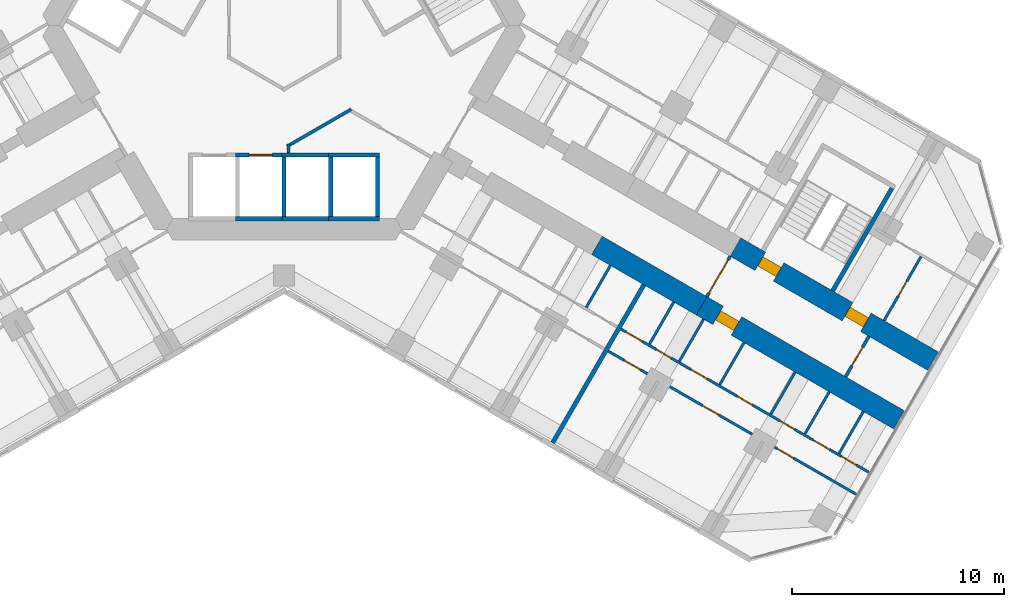
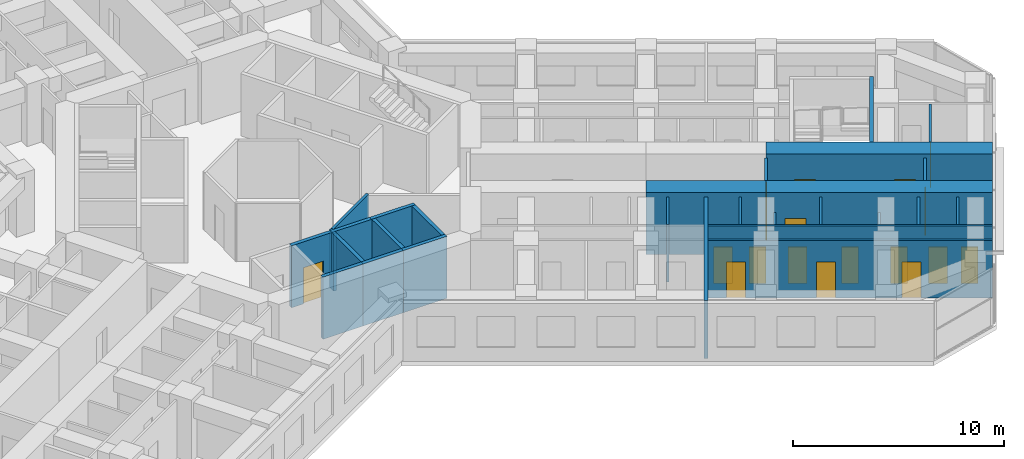
# One storey, part 14 of 21: 28 walls, 17 doors, 17 openings.
"""IFC4 building model written with IfcOpenShell, lengths in metres."""

from ifc_helpers import new_model, si_unit, direction, frame, frame_2d, origin, place, context, subcontext, project, spatial, rectangle, extrude, material, layer, layer_set, type_object, element, fill, save


model = new_model("IFC4")

# Units and contexts
model_context = context("Model", 3, precision=1e-05, world=origin(), true_north=direction((0.0, 1.0)))
body_context = subcontext(model_context, "Body", "Model", "MODEL_VIEW")
ifc_project = project(units=[si_unit("LENGTHUNIT", "METRE"), si_unit("AREAUNIT", "SQUARE_METRE"), si_unit("VOLUMEUNIT", "CUBIC_METRE"), si_unit("PLANEANGLEUNIT", "RADIAN"), si_unit("MASSUNIT", "GRAM", prefix="KILO")], contexts=[model_context])

# Site, building, storey
site_placement = place(None, origin())
site = spatial("IfcSite", under=ifc_project, at=site_placement, CompositionType="ELEMENT")
building_placement = place(site_placement, origin())
building = spatial("IfcBuilding", under=site, at=building_placement, Name="Kosmar Iwan School Tower", CompositionType="ELEMENT")
storey_placement = place(building_placement, frame((0.0, 0.0, 50.199951171875)))
storey = spatial("IfcBuildingStorey", under=building, at=storey_placement, Name="L11", CompositionType="ELEMENT", Elevation=50.199951171875)

# Walls
ifc_material_1 = material(Name="Gypsum board on steel studs, fire-rated", Category="steel")
ifc_layer_1 = layer(ifc_material_1, 0.14990234375)
ifc_layer_set_1 = layer_set([ifc_layer_1], Name="Core room partition 150")
wall_type_1 = type_object("IfcWallType", Name="Core room partition 150", PredefinedType="PARTITIONING", material=ifc_layer_set_1)
wall_1_placement = place(storey_placement, frame((0.199951171875, -6.0048828125, 0.0), z_axis=(0.0, 0.0, 1.0), x_axis=(0.0, 1.0, 0.0)))
element("IfcWall", 1, at=wall_1_placement, inside=storey, type_object=wall_type_1, Name="Core room partition L11-CW10", PredefinedType="PARTITIONING", context=body_context, shape_type="SweptSolid", body=[
    extrude(rectangle(XDim=0.421875, YDim=0.14990234375, at=frame_2d((0.2109375, 0.0))), origin(), (0.0, 0.0, 1.0), 3.35009765625),
])
wall_2_placement = place(storey_placement, frame((0.135009765625, -5.695556640625, 0.0), z_axis=(0.0, 0.0, 1.0), x_axis=(0.866040335699, 0.499974136273, 0.0)))
element("IfcWall", 2, at=wall_2_placement, inside=storey, type_object=wall_type_1, Name="Core room partition L11-CW11", PredefinedType="PARTITIONING", context=body_context, shape_type="SweptSolid", body=[
    extrude(rectangle(XDim=3.498779296875, YDim=0.14990234375, at=frame_2d((1.74951171875, 0.0))), origin(), (0.0, 0.0, 1.0), 3.35009765625),
])

# Wall, openings, doors
ifc_material_2 = material(Name="Concrete C50/60", Category="concrete")
ifc_layer_2 = layer(ifc_material_2, 1.0)
ifc_layer_set_2 = layer_set([ifc_layer_2], Name="Corridor buttress wall 1000")
wall_type_2 = type_object("IfcWallType", Name="Corridor buttress wall 1000", PredefinedType="SHEAR", material=ifc_layer_set_2)
wall_3_placement = place(storey_placement, frame((21.281494140625, -10.439453125, 0.0), z_axis=(0.0, 0.0, 1.0), x_axis=(0.866032345022, -0.499987977232, 0.0)))
wall_3 = element("IfcWall", 3, at=wall_3_placement, inside=storey, type_object=wall_type_2, Name="Corridor wall CL bay 3", PredefinedType="SHEAR", context=body_context, shape_type="SweptSolid", body=[
    extrude(rectangle(XDim=10.744873046875, YDim=1.0, at=frame_2d((5.37255859375, 0.0))), origin(), (0.0, 0.0, 1.0), 3.60009765625),
])
opening_1_placement = place(wall_3_placement, frame((6.10009765625, 0.0, 0.0)))
opening_1 = element("IfcOpeningElement", 4, at=opening_1_placement, cuts=wall_3, Name="Opening D1", PredefinedType="OPENING", context=body_context, shape_type="SweptSolid", body=[
    extrude(rectangle(XDim=1.0, YDim=2.10009765625, at=frame_2d((0.5, 1.050048828125))), frame((0.0, 0.511962890625, 0.0), z_axis=(0.0, -1.0, 0.0), x_axis=(1.0, 0.0, 0.0)), (0.0, 0.0, 1.0), 1.02392578125),
])
opening_2_placement = place(wall_3_placement, frame((1.35009765625, 0.0, 0.0)))
opening_2 = element("IfcOpeningElement", 5, at=opening_2_placement, cuts=wall_3, Name="Opening D6", PredefinedType="OPENING", context=body_context, shape_type="SweptSolid", body=[
    extrude(rectangle(XDim=1.0, YDim=2.10009765625, at=frame_2d((0.5, 1.050048828125))), frame((0.0, 0.511962890625, 0.0), z_axis=(0.0, -1.0, 0.0), x_axis=(1.0, 0.0, 0.0)), (0.0, 0.0, 1.0), 1.02392578125),
])
ifc_material_3 = material(Name="Timber fire door in steel frame", Category="steel")
door_type_1 = type_object("IfcDoorType", Name="Flat entrance door 1000x2100", OperationType="SINGLE_SWING_LEFT", PredefinedType="DOOR", material=ifc_material_3)
door_1_placement = place(opening_1_placement, origin())
door_1 = element("IfcDoor", 6, at=door_1_placement, inside=storey, type_object=door_type_1, Name="Flat L11-CL2 entrance door", OperationType="SINGLE_SWING_RIGHT", OverallHeight=2.10009765625, OverallWidth=1.0, PredefinedType="DOOR", context=body_context, shape_type="SweptSolid", body=[
    extrude(rectangle(XDim=1.0, YDim=2.10009765625, at=frame_2d((0.5, 1.050048828125))), frame((0.0, 0.25, 0.0), z_axis=(0.0, -1.0, 0.0), x_axis=(1.0, 0.0, 0.0)), (0.0, 0.0, 1.0), 0.5),
])
fill(opening_1, door_1)
ifc_material_4 = material(Name="Steel fire door", Category="steel")
door_type_2 = type_object("IfcDoorType", Name="Stair door 1000x2100", OperationType="SINGLE_SWING_LEFT", PredefinedType="DOOR", material=ifc_material_4)
door_2_placement = place(opening_2_placement, origin())
door_2 = element("IfcDoor", 7, at=door_2_placement, inside=storey, type_object=door_type_2, Name="Stair WS3 door L11", OperationType="SINGLE_SWING_LEFT", OverallHeight=2.10009765625, OverallWidth=1.0, PredefinedType="DOOR", context=body_context, shape_type="SweptSolid", body=[
    extrude(rectangle(XDim=1.0, YDim=2.10009765625, at=frame_2d((0.5, 1.050048828125))), frame((0.0, 0.25, 0.0), z_axis=(0.0, -1.0, 0.0), x_axis=(1.0, 0.0, 0.0)), (0.0, 0.0, 1.0), 0.5),
])
fill(opening_2, door_2)

# Wall
wall_4_placement = place(storey_placement, frame((14.7451171875, -10.360595703125, 0.0), z_axis=(0.0, 0.0, 1.0), x_axis=(0.866015111908, -0.50001782563, 0.0)))
element("IfcWall", 8, at=wall_4_placement, inside=storey, type_object=wall_type_2, Name="Corridor wall CR bay 2", PredefinedType="SHEAR", context=body_context, shape_type="SweptSolid", body=[
    extrude(rectangle(XDim=5.699951171875, YDim=1.0, at=frame_2d((2.85009765625, 0.0))), origin(), (0.0, 0.0, 1.0), 3.60009765625),
])

# Wall, opening, door
wall_5_placement = place(storey_placement, frame((19.681396484375, -13.210693359375, 0.0), z_axis=(0.0, 0.0, 1.0), x_axis=(0.866028186671, -0.499995179869, 0.0)))
wall_5 = element("IfcWall", 9, at=wall_5_placement, inside=storey, type_object=wall_type_2, Name="Corridor wall CR bay 3", PredefinedType="SHEAR", context=body_context, shape_type="SweptSolid", body=[
    extrude(rectangle(XDim=10.7451171875, YDim=1.0, at=frame_2d((5.37255859375, 0.0))), origin(), (0.0, 0.0, 1.0), 3.60009765625),
])
opening_3_placement = place(wall_5_placement, frame((0.89990234375, 0.0, 0.0)))
opening_3 = element("IfcOpeningElement", 10, at=opening_3_placement, cuts=wall_5, Name="Opening D1", PredefinedType="OPENING", context=body_context, shape_type="SweptSolid", body=[
    extrude(rectangle(XDim=1.0, YDim=2.10009765625, at=frame_2d((0.5, 1.050048828125))), frame((0.0, 0.511962890625, 0.0), z_axis=(0.0, -1.0, 0.0), x_axis=(1.0, 0.0, 0.0)), (0.0, 0.0, 1.0), 1.02392578125),
])
door_3_placement = place(opening_3_placement, origin())
door_3 = element("IfcDoor", 11, at=door_3_placement, inside=storey, type_object=door_type_1, Name="Flat L11-CR2 entrance door", OperationType="SINGLE_SWING_LEFT", OverallHeight=2.10009765625, OverallWidth=1.0, PredefinedType="DOOR", context=body_context, shape_type="SweptSolid", body=[
    extrude(rectangle(XDim=1.0, YDim=2.10009765625, at=frame_2d((0.5, 1.050048828125))), frame((0.0, 0.25, 0.0), z_axis=(0.0, -1.0, 0.0), x_axis=(1.0, 0.0, 0.0)), (0.0, 0.0, 1.0), 0.5),
])
fill(opening_3, door_3)

ifc_material_5 = material(Name="Gypsum board on steel studs, fire-rated", Category="steel")
ifc_layer_3 = layer(ifc_material_5, 0.14990234375)
ifc_layer_set_3 = layer_set([ifc_layer_3], Name="Corridor end wall 150")
wall_type_3 = type_object("IfcWallType", Name="Corridor end wall 150", PredefinedType="PARTITIONING", material=ifc_layer_set_3)
wall_6_placement = place(storey_placement, frame((26.469970703125, -16.552734375, 0.0), z_axis=(0.0, 0.0, 1.0), x_axis=(0.50002983664, 0.866008176907, 0.0)))
wall_6 = element("IfcWall", 12, at=wall_6_placement, inside=storey, type_object=wall_type_3, Name="Partition L11-C-CE", PredefinedType="PARTITIONING", context=body_context, shape_type="SweptSolid", body=[
    extrude(rectangle(XDim=2.199951171875, YDim=0.14990234375, at=frame_2d((1.10009765625, 0.0))), origin(), (0.0, 0.0, 1.0), 3.35009765625),
])
opening_4_placement = place(wall_6_placement, frame((0.60009765625, 0.0, 0.0)))
opening_4 = element("IfcOpeningElement", 13, at=opening_4_placement, cuts=wall_6, Name="Opening D13", PredefinedType="OPENING", context=body_context, shape_type="SweptSolid", body=[
    extrude(rectangle(XDim=1.0, YDim=2.10009765625, at=frame_2d((0.5, 1.050048828125))), frame((0.0, 0.0869140625, 0.0), z_axis=(0.0, -1.0, 0.0), x_axis=(1.0, 0.0, 0.0)), (0.0, 0.0, 1.0), 0.173828125),
])
ifc_material_6 = material(Name="Timber fire door with vision panel", Category="wood")
door_type_3 = type_object("IfcDoorType", Name="Corridor end door 1000x2100", OperationType="SINGLE_SWING_LEFT", PredefinedType="DOOR", material=ifc_material_6)
door_4_placement = place(opening_4_placement, origin())
door_4 = element("IfcDoor", 14, at=door_4_placement, inside=storey, type_object=door_type_3, Name="Laundry and drying room door L11-C", OperationType="SINGLE_SWING_RIGHT", OverallHeight=2.10009765625, OverallWidth=1.0, PredefinedType="DOOR", context=body_context, shape_type="SweptSolid", body=[
    extrude(rectangle(XDim=1.0, YDim=2.10009765625, at=frame_2d((0.5, 1.050048828125))), frame((0.0, 0.02490234375, 0.0), z_axis=(0.0, -1.0, 0.0), x_axis=(1.0, 0.0, 0.0)), (0.0, 0.0, 1.0), 0.050048828125),
])
fill(opening_4, door_4)

wall_7_placement = place(storey_placement, frame((19.931396484375, -12.777587890625, 0.0), z_axis=(0.0, 0.0, 1.0), x_axis=(0.50002983664, 0.866008176907, 0.0)))
wall_7 = element("IfcWall", 15, at=wall_7_placement, inside=storey, type_object=wall_type_3, Name="Partition L11-C-HW", PredefinedType="PARTITIONING", context=body_context, shape_type="SweptSolid", body=[
    extrude(rectangle(XDim=2.199951171875, YDim=0.14990234375, at=frame_2d((1.10009765625, 0.0))), origin(), (0.0, 0.0, 1.0), 3.35009765625),
])
opening_5_placement = place(wall_7_placement, frame((0.199951171875, 0.0, 0.0)))
opening_5 = element("IfcOpeningElement", 16, at=opening_5_placement, cuts=wall_7, Name="Opening D9", PredefinedType="OPENING", context=body_context, shape_type="SweptSolid", body=[
    extrude(rectangle(XDim=1.800048828125, YDim=2.10009765625, at=frame_2d((0.89990234375, 1.050048828125))), frame((0.0, 0.0869140625, 0.0), z_axis=(0.0, -1.0, 0.0), x_axis=(1.0, 0.0, 0.0)), (0.0, 0.0, 1.0), 0.173828125),
])
ifc_material_7 = material(Name="Steel framed glazed smoke door", Category="steel")
door_type_4 = type_object("IfcDoorType", Name="Corridor smoke door pair 1800x2100", OperationType="DOUBLE_DOOR_DOUBLE_SWING", PredefinedType="DOOR", material=ifc_material_7)
door_5_placement = place(opening_5_placement, origin())
door_5 = element("IfcDoor", 17, at=door_5_placement, inside=storey, type_object=door_type_4, Name="Entrance vestibule smoke doors L11-C", OperationType="DOUBLE_DOOR_DOUBLE_SWING", OverallHeight=2.10009765625, OverallWidth=1.800048828125, PredefinedType="DOOR", context=body_context, shape_type="SweptSolid", body=[
    extrude(rectangle(XDim=1.800048828125, YDim=2.10009765625, at=frame_2d((0.89990234375, 1.050048828125))), frame((0.0, 0.02490234375, 0.0), z_axis=(0.0, -1.0, 0.0), x_axis=(1.0, 0.0, 0.0)), (0.0, 0.0, 1.0), 0.050048828125),
])
fill(opening_5, door_5)

ifc_material_8 = material(Name="Gypsum board on steel studs", Category="steel")
ifc_layer_4 = layer(ifc_material_8, 0.1201171875)
ifc_layer_set_4 = layer_set([ifc_layer_4], Name="Dwelling partition 120")
wall_type_4 = type_object("IfcWallType", Name="Dwelling partition 120", PredefinedType="PARTITIONING", material=ifc_layer_set_4)
wall_8_placement = place(storey_placement, frame((28.286376953125, -13.90625, 0.0), z_axis=(0.0, 0.0, 1.0), x_axis=(0.50002117804, 0.866013176292, 0.0)))
wall_8 = element("IfcWall", 18, at=wall_8_placement, inside=storey, type_object=wall_type_4, Name="Partition L11-CL2-TY", PredefinedType="PARTITIONING", context=body_context, shape_type="SweptSolid", body=[
    extrude(rectangle(XDim=3.489990234375, YDim=0.1201171875, at=frame_2d((1.7451171875, 0.0))), origin(), (0.0, 0.0, 1.0), 3.35009765625),
])
opening_6_placement = place(wall_8_placement, frame((1.344970703125, 0.0, 0.0)))
opening_6 = element("IfcOpeningElement", 19, at=opening_6_placement, cuts=wall_8, Name="Opening D3", PredefinedType="OPENING", context=body_context, shape_type="SweptSolid", body=[
    extrude(rectangle(XDim=0.800048828125, YDim=2.10009765625, at=frame_2d((0.39990234375, 1.050048828125))), frame((0.0, 0.072021484375, 0.0), z_axis=(0.0, -1.0, 0.0), x_axis=(1.0, 0.0, 0.0)), (0.0, 0.0, 1.0), 0.14404296875),
])
ifc_material_9 = material(Name="Timber door in timber frame", Category="wood")
door_type_5 = type_object("IfcDoorType", Name="Sanitary room door 800x2100", OperationType="SINGLE_SWING_LEFT", PredefinedType="DOOR", material=ifc_material_9)
door_6_placement = place(opening_6_placement, origin())
door_6 = element("IfcDoor", 20, at=door_6_placement, inside=storey, type_object=door_type_5, Name="Bathroom door L11-CL2-T4", OperationType="SINGLE_SWING_LEFT", OverallHeight=2.10009765625, OverallWidth=0.800048828125, PredefinedType="DOOR", context=body_context, shape_type="SweptSolid", body=[
    extrude(rectangle(XDim=0.800048828125, YDim=2.10009765625, at=frame_2d((0.39990234375, 1.050048828125))), frame((0.0, 0.02490234375, 0.0), z_axis=(0.0, -1.0, 0.0), x_axis=(1.0, 0.0, 0.0)), (0.0, 0.0, 1.0), 0.050048828125),
])
fill(opening_6, door_6)

# Wall
wall_9_placement = place(storey_placement, frame((15.38525390625, -11.3076171875, 0.0), z_axis=(0.0, 0.0, 1.0), x_axis=(-0.500014693593, -0.866016920268, 0.0)))
element("IfcWall", 21, at=wall_9_placement, inside=storey, type_object=wall_type_4, Name="Partition L11-CR1-Y4", PredefinedType="PARTITIONING", context=body_context, shape_type="SweptSolid", body=[
    extrude(rectangle(XDim=2.2900390625, YDim=0.1201171875, at=frame_2d((1.14501953125, 0.0))), origin(), (0.0, 0.0, 1.0), 3.35009765625),
])

# Wall, openings, doors
wall_10_placement = place(storey_placement, frame((15.875, -14.3037109375, 0.0), z_axis=(0.0, 0.0, 1.0), x_axis=(0.866023503214, -0.50000329187, 0.0)))
wall_10 = element("IfcWall", 22, at=wall_10_placement, inside=storey, type_object=wall_type_4, Name="Partition L11-CR2-W1", PredefinedType="PARTITIONING", context=body_context, shape_type="SweptSolid", body=[
    extrude(rectangle(XDim=13.4951171875, YDim=0.1201171875, at=frame_2d((6.74755859375, 0.0))), origin(), (0.0, 0.0, 1.0), 3.35009765625),
])
opening_7_placement = place(wall_10_placement, frame((0.262451171875, 0.0, 0.0)))
opening_7 = element("IfcOpeningElement", 23, at=opening_7_placement, cuts=wall_10, Name="Opening D2", PredefinedType="OPENING", context=body_context, shape_type="SweptSolid", body=[
    extrude(rectangle(XDim=0.89990234375, YDim=2.10009765625, at=frame_2d((0.449951171875, 1.050048828125))), frame((0.0, 0.072021484375, 0.0), z_axis=(0.0, -1.0, 0.0), x_axis=(1.0, 0.0, 0.0)), (0.0, 0.0, 1.0), 0.14404296875),
])
opening_8_placement = place(wall_10_placement, frame((1.9375, 0.0, 0.0)))
opening_8 = element("IfcOpeningElement", 24, at=opening_8_placement, cuts=wall_10, Name="Opening D3", PredefinedType="OPENING", context=body_context, shape_type="SweptSolid", body=[
    extrude(rectangle(XDim=0.800048828125, YDim=2.10009765625, at=frame_2d((0.39990234375, 1.050048828125))), frame((0.0, 0.072021484375, 0.0), z_axis=(0.0, -1.0, 0.0), x_axis=(1.0, 0.0, 0.0)), (0.0, 0.0, 1.0), 0.14404296875),
])
opening_9_placement = place(wall_10_placement, frame((3.800048828125, 0.0, 0.0)))
opening_9 = element("IfcOpeningElement", 25, at=opening_9_placement, cuts=wall_10, Name="Opening D2", PredefinedType="OPENING", context=body_context, shape_type="SweptSolid", body=[
    extrude(rectangle(XDim=0.89990234375, YDim=2.10009765625, at=frame_2d((0.449951171875, 1.050048828125))), frame((0.0, 0.072021484375, 0.0), z_axis=(0.0, -1.0, 0.0), x_axis=(1.0, 0.0, 0.0)), (0.0, 0.0, 1.0), 0.14404296875),
])
opening_10_placement = place(wall_10_placement, frame((6.341796875, 0.0, 0.0)))
opening_10 = element("IfcOpeningElement", 26, at=opening_10_placement, cuts=wall_10, Name="Opening D3", PredefinedType="OPENING", context=body_context, shape_type="SweptSolid", body=[
    extrude(rectangle(XDim=0.800048828125, YDim=2.10009765625, at=frame_2d((0.39990234375, 1.050048828125))), frame((0.0, 0.072021484375, 0.0), z_axis=(0.0, -1.0, 0.0), x_axis=(1.0, 0.0, 0.0)), (0.0, 0.0, 1.0), 0.14404296875),
])
opening_11_placement = place(wall_10_placement, frame((8.6611328125, 0.0, 0.0)))
opening_11 = element("IfcOpeningElement", 27, at=opening_11_placement, cuts=wall_10, Name="Opening D3", PredefinedType="OPENING", context=body_context, shape_type="SweptSolid", body=[
    extrude(rectangle(XDim=0.800048828125, YDim=2.10009765625, at=frame_2d((0.39990234375, 1.050048828125))), frame((0.0, 0.072021484375, 0.0), z_axis=(0.0, -1.0, 0.0), x_axis=(1.0, 0.0, 0.0)), (0.0, 0.0, 1.0), 0.14404296875),
])
opening_12_placement = place(wall_10_placement, frame((10.466796875, 0.0, 0.0)))
opening_12 = element("IfcOpeningElement", 28, at=opening_12_placement, cuts=wall_10, Name="Opening D2", PredefinedType="OPENING", context=body_context, shape_type="SweptSolid", body=[
    extrude(rectangle(XDim=0.89990234375, YDim=2.10009765625, at=frame_2d((0.449951171875, 1.050048828125))), frame((0.0, 0.072021484375, 0.0), z_axis=(0.0, -1.0, 0.0), x_axis=(1.0, 0.0, 0.0)), (0.0, 0.0, 1.0), 0.14404296875),
])
opening_13_placement = place(wall_10_placement, frame((12.00439453125, 0.0, 0.0)))
opening_13 = element("IfcOpeningElement", 29, at=opening_13_placement, cuts=wall_10, Name="Opening D3", PredefinedType="OPENING", context=body_context, shape_type="SweptSolid", body=[
    extrude(rectangle(XDim=0.800048828125, YDim=2.10009765625, at=frame_2d((0.39990234375, 1.050048828125))), frame((0.0, 0.072021484375, 0.0), z_axis=(0.0, -1.0, 0.0), x_axis=(1.0, 0.0, 0.0)), (0.0, 0.0, 1.0), 0.14404296875),
])
ifc_material_10 = material(Name="Timber door in timber frame", Category="wood")
door_type_6 = type_object("IfcDoorType", Name="Internal door 900x2100", OperationType="SINGLE_SWING_LEFT", PredefinedType="DOOR", material=ifc_material_10)
door_7_placement = place(opening_7_placement, origin())
door_7 = element("IfcDoor", 30, at=door_7_placement, inside=storey, type_object=door_type_6, Name="Utility room door L11-CR2-S1", OperationType="SINGLE_SWING_RIGHT", OverallHeight=2.10009765625, OverallWidth=0.89990234375, PredefinedType="DOOR", context=body_context, shape_type="SweptSolid", body=[
    extrude(rectangle(XDim=0.89990234375, YDim=2.10009765625, at=frame_2d((0.449951171875, 1.050048828125))), frame((0.0, 0.02490234375, 0.0), z_axis=(0.0, -1.0, 0.0), x_axis=(1.0, 0.0, 0.0)), (0.0, 0.0, 1.0), 0.050048828125),
])
fill(opening_7, door_7)
door_8_placement = place(opening_9_placement, origin())
door_8 = element("IfcDoor", 31, at=door_8_placement, inside=storey, type_object=door_type_6, Name="Entrance hall door L11-CR2-S3", OperationType="SINGLE_SWING_RIGHT", OverallHeight=2.10009765625, OverallWidth=0.89990234375, PredefinedType="DOOR", context=body_context, shape_type="SweptSolid", body=[
    extrude(rectangle(XDim=0.89990234375, YDim=2.10009765625, at=frame_2d((0.449951171875, 1.050048828125))), frame((0.0, 0.02490234375, 0.0), z_axis=(0.0, -1.0, 0.0), x_axis=(1.0, 0.0, 0.0)), (0.0, 0.0, 1.0), 0.050048828125),
])
fill(opening_9, door_8)
door_9_placement = place(opening_12_placement, origin())
door_9 = element("IfcDoor", 32, at=door_9_placement, inside=storey, type_object=door_type_6, Name="Pantry door L11-CR2-S6", OperationType="SINGLE_SWING_LEFT", OverallHeight=2.10009765625, OverallWidth=0.89990234375, PredefinedType="DOOR", context=body_context, shape_type="SweptSolid", body=[
    extrude(rectangle(XDim=0.89990234375, YDim=2.10009765625, at=frame_2d((0.449951171875, 1.050048828125))), frame((0.0, 0.02490234375, 0.0), z_axis=(0.0, -1.0, 0.0), x_axis=(1.0, 0.0, 0.0)), (0.0, 0.0, 1.0), 0.050048828125),
])
fill(opening_12, door_9)
door_10_placement = place(opening_8_placement, origin())
door_10 = element("IfcDoor", 33, at=door_10_placement, inside=storey, type_object=door_type_5, Name="WC door L11-CR2-S2", OperationType="SINGLE_SWING_LEFT", OverallHeight=2.10009765625, OverallWidth=0.800048828125, PredefinedType="DOOR", context=body_context, shape_type="SweptSolid", body=[
    extrude(rectangle(XDim=0.800048828125, YDim=2.10009765625, at=frame_2d((0.39990234375, 1.050048828125))), frame((0.0, 0.02490234375, 0.0), z_axis=(0.0, -1.0, 0.0), x_axis=(1.0, 0.0, 0.0)), (0.0, 0.0, 1.0), 0.050048828125),
])
fill(opening_8, door_10)
door_11_placement = place(opening_10_placement, origin())
door_11 = element("IfcDoor", 34, at=door_11_placement, inside=storey, type_object=door_type_5, Name="Bathroom door L11-CR2-S4", OperationType="SINGLE_SWING_LEFT", OverallHeight=2.10009765625, OverallWidth=0.800048828125, PredefinedType="DOOR", context=body_context, shape_type="SweptSolid", body=[
    extrude(rectangle(XDim=0.800048828125, YDim=2.10009765625, at=frame_2d((0.39990234375, 1.050048828125))), frame((0.0, 0.02490234375, 0.0), z_axis=(0.0, -1.0, 0.0), x_axis=(1.0, 0.0, 0.0)), (0.0, 0.0, 1.0), 0.050048828125),
])
fill(opening_10, door_11)
door_12_placement = place(opening_11_placement, origin())
door_12 = element("IfcDoor", 35, at=door_12_placement, inside=storey, type_object=door_type_5, Name="Shower room door L11-CR2-S5", OperationType="SINGLE_SWING_RIGHT", OverallHeight=2.10009765625, OverallWidth=0.800048828125, PredefinedType="DOOR", context=body_context, shape_type="SweptSolid", body=[
    extrude(rectangle(XDim=0.800048828125, YDim=2.10009765625, at=frame_2d((0.39990234375, 1.050048828125))), frame((0.0, 0.02490234375, 0.0), z_axis=(0.0, -1.0, 0.0), x_axis=(1.0, 0.0, 0.0)), (0.0, 0.0, 1.0), 0.050048828125),
])
fill(opening_11, door_12)
door_13_placement = place(opening_13_placement, origin())
door_13 = element("IfcDoor", 36, at=door_13_placement, inside=storey, type_object=door_type_5, Name="Store door L11-CR2-S7", OperationType="SINGLE_SWING_LEFT", OverallHeight=2.10009765625, OverallWidth=0.800048828125, PredefinedType="DOOR", context=body_context, shape_type="SweptSolid", body=[
    extrude(rectangle(XDim=0.800048828125, YDim=2.10009765625, at=frame_2d((0.39990234375, 1.050048828125))), frame((0.0, 0.02490234375, 0.0), z_axis=(0.0, -1.0, 0.0), x_axis=(1.0, 0.0, 0.0)), (0.0, 0.0, 1.0), 0.050048828125),
])
fill(opening_13, door_13)

wall_11_placement = place(storey_placement, frame((15.27490234375, -15.343017578125, 0.0), z_axis=(0.0, 0.0, 1.0), x_axis=(0.866023503214, -0.50000329187, 0.0)))
wall_11 = element("IfcWall", 37, at=wall_11_placement, inside=storey, type_object=wall_type_4, Name="Partition L11-CR2-W2", PredefinedType="PARTITIONING", context=body_context, shape_type="SweptSolid", body=[
    extrude(rectangle(XDim=13.4951171875, YDim=0.1201171875, at=frame_2d((6.74755859375, 0.0))), origin(), (0.0, 0.0, 1.0), 3.35009765625),
])
opening_14_placement = place(wall_11_placement, frame((0.875, 0.0, 0.0)))
opening_14 = element("IfcOpeningElement", 38, at=opening_14_placement, cuts=wall_11, Name="Opening D2", PredefinedType="OPENING", context=body_context, shape_type="SweptSolid", body=[
    extrude(rectangle(XDim=0.89990234375, YDim=2.10009765625, at=frame_2d((0.449951171875, 1.050048828125))), frame((0.0, 0.072021484375, 0.0), z_axis=(0.0, -1.0, 0.0), x_axis=(1.0, 0.0, 0.0)), (0.0, 0.0, 1.0), 0.14404296875),
])
opening_15_placement = place(wall_11_placement, frame((5.14990234375, 0.0, 0.0)))
opening_15 = element("IfcOpeningElement", 39, at=opening_15_placement, cuts=wall_11, Name="Opening D2", PredefinedType="OPENING", context=body_context, shape_type="SweptSolid", body=[
    extrude(rectangle(XDim=0.89990234375, YDim=2.10009765625, at=frame_2d((0.449951171875, 1.050048828125))), frame((0.0, 0.072021484375, 0.0), z_axis=(0.0, -1.0, 0.0), x_axis=(1.0, 0.0, 0.0)), (0.0, 0.0, 1.0), 0.14404296875),
])
opening_16_placement = place(wall_11_placement, frame((9.199951171875, 0.0, 0.0)))
opening_16 = element("IfcOpeningElement", 40, at=opening_16_placement, cuts=wall_11, Name="Opening D2", PredefinedType="OPENING", context=body_context, shape_type="SweptSolid", body=[
    extrude(rectangle(XDim=0.89990234375, YDim=2.10009765625, at=frame_2d((0.449951171875, 1.050048828125))), frame((0.0, 0.072021484375, 0.0), z_axis=(0.0, -1.0, 0.0), x_axis=(1.0, 0.0, 0.0)), (0.0, 0.0, 1.0), 0.14404296875),
])
door_14_placement = place(opening_14_placement, origin())
door_14 = element("IfcDoor", 41, at=door_14_placement, inside=storey, type_object=door_type_6, Name="Bedroom 1 door L11-CR2-F1", OperationType="SINGLE_SWING_LEFT", OverallHeight=2.10009765625, OverallWidth=0.89990234375, PredefinedType="DOOR", context=body_context, shape_type="SweptSolid", body=[
    extrude(rectangle(XDim=0.89990234375, YDim=2.10009765625, at=frame_2d((0.449951171875, 1.050048828125))), frame((0.0, 0.02490234375, 0.0), z_axis=(0.0, -1.0, 0.0), x_axis=(1.0, 0.0, 0.0)), (0.0, 0.0, 1.0), 0.050048828125),
])
fill(opening_14, door_14)
door_15_placement = place(opening_15_placement, origin())
door_15 = element("IfcDoor", 42, at=door_15_placement, inside=storey, type_object=door_type_6, Name="Living room and kitchen door L11-CR2-F2", OperationType="SINGLE_SWING_LEFT", OverallHeight=2.10009765625, OverallWidth=0.89990234375, PredefinedType="DOOR", context=body_context, shape_type="SweptSolid", body=[
    extrude(rectangle(XDim=0.89990234375, YDim=2.10009765625, at=frame_2d((0.449951171875, 1.050048828125))), frame((0.0, 0.02490234375, 0.0), z_axis=(0.0, -1.0, 0.0), x_axis=(1.0, 0.0, 0.0)), (0.0, 0.0, 1.0), 0.050048828125),
])
fill(opening_15, door_15)
door_16_placement = place(opening_16_placement, origin())
door_16 = element("IfcDoor", 43, at=door_16_placement, inside=storey, type_object=door_type_6, Name="Bedroom 2 door L11-CR2-F3", OperationType="SINGLE_SWING_RIGHT", OverallHeight=2.10009765625, OverallWidth=0.89990234375, PredefinedType="DOOR", context=body_context, shape_type="SweptSolid", body=[
    extrude(rectangle(XDim=0.89990234375, YDim=2.10009765625, at=frame_2d((0.449951171875, 1.050048828125))), frame((0.0, 0.02490234375, 0.0), z_axis=(0.0, -1.0, 0.0), x_axis=(1.0, 0.0, 0.0)), (0.0, 0.0, 1.0), 0.050048828125),
])
fill(opening_16, door_16)

# Walls
wall_12_placement = place(storey_placement, frame((18.37060546875, -13.03125, 0.0), z_axis=(0.0, 0.0, 1.0), x_axis=(-0.500014693593, -0.866016920268, 0.0)))
element("IfcWall", 44, at=wall_12_placement, inside=storey, type_object=wall_type_4, Name="Partition L11-CR2-Y1", PredefinedType="PARTITIONING", context=body_context, shape_type="SweptSolid", body=[
    extrude(rectangle(XDim=2.2900390625, YDim=0.1201171875, at=frame_2d((1.14501953125, 0.0))), origin(), (0.0, 0.0, 1.0), 3.35009765625),
])
wall_13_placement = place(storey_placement, frame((19.77783203125, -13.84375, 0.0), z_axis=(0.0, 0.0, 1.0), x_axis=(-0.500014693593, -0.866016920268, 0.0)))
element("IfcWall", 45, at=wall_13_placement, inside=storey, type_object=wall_type_4, Name="Partition L11-CR2-Y2", PredefinedType="PARTITIONING", context=body_context, shape_type="SweptSolid", body=[
    extrude(rectangle(XDim=2.2900390625, YDim=0.1201171875, at=frame_2d((1.14501953125, 0.0))), origin(), (0.0, 0.0, 1.0), 2.449951171875),
])
wall_14_placement = place(storey_placement, frame((21.68310546875, -14.943603515625, 0.0), z_axis=(0.0, 0.0, 1.0), x_axis=(-0.500014693593, -0.866016920268, 0.0)))
element("IfcWall", 46, at=wall_14_placement, inside=storey, type_object=wall_type_4, Name="Partition L11-CR2-Y3", PredefinedType="PARTITIONING", context=body_context, shape_type="SweptSolid", body=[
    extrude(rectangle(XDim=2.2900390625, YDim=0.1201171875, at=frame_2d((1.14501953125, 0.0))), origin(), (0.0, 0.0, 1.0), 3.35009765625),
])
wall_15_placement = place(storey_placement, frame((24.093505859375, -16.335205078125, 0.0), z_axis=(0.0, 0.0, 1.0), x_axis=(-0.499968531483, -0.866043571379, 0.0)))
element("IfcWall", 47, at=wall_15_placement, inside=storey, type_object=wall_type_4, Name="Partition L11-CR2-Y4", PredefinedType="PARTITIONING", context=body_context, shape_type="SweptSolid", body=[
    extrude(rectangle(XDim=2.290283203125, YDim=0.1201171875, at=frame_2d((1.14501953125, 0.0))), origin(), (0.0, 0.0, 1.0), 2.449951171875),
])
for number, where, z_axis, x_axis, name in (
    (48, (25.70068359375, -17.26318359375, 0.0), (0.0, 0.0, 1.0), (-0.500014693593, -0.866016920268, 0.0), "Partition L11-CR2-Y5"),
    (49, (27.3076171875, -18.19091796875, 0.0), (0.0, 0.0, 1.0), (-0.500014693593, -0.866016920268, 0.0), "Partition L11-CR2-Y6"),
):
    element("IfcWall", number, at=place(storey_placement, frame(where, z_axis=z_axis, x_axis=x_axis)), inside=storey, type_object=wall_type_4, Name=name, PredefinedType="PARTITIONING", context=body_context, shape_type="SweptSolid", body=[
        extrude(rectangle(XDim=2.2900390625, YDim=0.1201171875, at=frame_2d((1.14501953125, 0.0))), origin(), (0.0, 0.0, 1.0), 3.35009765625),
    ])
ifc_material_11 = material(Name="Concrete C35/45", Category="concrete")
ifc_layer_5 = layer(ifc_material_11, 0.199951171875)
ifc_layer_set_5 = layer_set([ifc_layer_5], Name="Escape stair wall 200")
wall_type_5 = type_object("IfcWallType", Name="Escape stair wall 200", PredefinedType="SHEAR", material=ifc_layer_set_5)
wall_16_placement = place(storey_placement, frame((25.861572265625, -12.50634765625, 0.0), z_axis=(0.0, 0.0, 1.0), x_axis=(0.500018801468, 0.86601454848, 0.0)))
element("IfcWall", 50, at=wall_16_placement, inside=storey, type_object=wall_type_5, Name="Stair WS3 wall", PredefinedType="SHEAR", context=body_context, shape_type="SweptSolid", body=[
    extrude(rectangle(XDim=5.800048828125, YDim=0.199951171875, at=frame_2d((2.89990234375, 0.0))), origin(), (0.0, 0.0, 1.0), 3.330078125),
])

# Wall, opening, door
ifc_material_12 = material(Name="Concrete C50/60", Category="concrete")
ifc_layer_6 = layer(ifc_material_12, 0.199951171875)
ifc_layer_set_6 = layer_set([ifc_layer_6], Name="Lift shaft wall 200")
wall_type_6 = type_object("IfcWallType", Name="Lift shaft wall 200", PredefinedType="SHEAR", material=ifc_layer_set_6)
wall_17_placement = place(storey_placement, frame((-2.300048828125, -6.10009765625, 0.0), z_axis=(0.0, 0.0, 1.0), x_axis=(1.0, 0.0, 0.0)))
wall_17 = element("IfcWall", 51, at=wall_17_placement, inside=storey, type_object=wall_type_6, Name="Lift and stair front wall BC", PredefinedType="SHEAR", context=body_context, shape_type="SweptSolid", body=[
    extrude(rectangle(XDim=2.199951171875, YDim=0.199951171875, at=frame_2d((1.10009765625, 0.0))), origin(), (0.0, 0.0, 1.0), 3.60009765625),
])
opening_17_placement = place(wall_17_placement, frame((0.64990234375, 0.0, 0.0)))
opening_17 = element("IfcOpeningElement", 52, at=opening_17_placement, cuts=wall_17, Name="Opening LD1", PredefinedType="OPENING", context=body_context, shape_type="SweptSolid", body=[
    extrude(rectangle(XDim=1.10009765625, YDim=2.10009765625, at=frame_2d((0.550048828125, 1.050048828125))), frame((0.0, 0.112060546875, 0.0), z_axis=(0.0, -1.0, 0.0), x_axis=(1.0, 0.0, 0.0)), (0.0, 0.0, 1.0), 0.223876953125),
])
ifc_material_13 = material(Name="Stainless steel sliding lift door", Category="steel")
door_type_7 = type_object("IfcDoorType", Name="Lift landing door 1100x2100", OperationType="SLIDING_TO_LEFT", PredefinedType="DOOR", material=ifc_material_13)
door_17_placement = place(opening_17_placement, origin())
door_17 = element("IfcDoor", 53, at=door_17_placement, inside=storey, type_object=door_type_7, Name="Lift PL2 landing door L11", OperationType="SLIDING_TO_LEFT", OverallHeight=2.10009765625, OverallWidth=1.10009765625, PredefinedType="DOOR", context=body_context, shape_type="SweptSolid", body=[
    extrude(rectangle(XDim=1.10009765625, YDim=2.10009765625, at=frame_2d((0.550048828125, 1.050048828125))), frame((0.0, 0.02490234375, 0.0), z_axis=(0.0, -1.0, 0.0), x_axis=(1.0, 0.0, 0.0)), (0.0, 0.0, 1.0), 0.050048828125),
])
fill(opening_17, door_17)

# Walls
wall_18_placement = place(storey_placement, frame((-2.300048828125, -9.10009765625, 0.0), z_axis=(0.0, 0.0, 1.0), x_axis=(1.0, 0.0, 0.0)))
element("IfcWall", 54, at=wall_18_placement, inside=storey, type_object=wall_type_6, Name="Lift and stair back wall BC", PredefinedType="SHEAR", context=body_context, shape_type="SweptSolid", body=[
    extrude(rectangle(XDim=2.199951171875, YDim=0.199951171875, at=frame_2d((1.10009765625, 0.0))), origin(), (0.0, 0.0, 1.0), 3.60009765625),
])
for number, where, z_axis, x_axis, name in (
    (55, (-0.10009765625, -6.10009765625, 0.0), (0.0, 0.0, 1.0), (1.0, 0.0, 0.0), "Lift and stair front wall BC"),
    (56, (-0.10009765625, -9.10009765625, 0.0), (0.0, 0.0, 1.0), (1.0, 0.0, 0.0), "Lift and stair back wall BC"),
):
    element("IfcWall", number, at=place(storey_placement, frame(where, z_axis=z_axis, x_axis=x_axis)), inside=storey, type_object=wall_type_6, Name=name, PredefinedType="SHEAR", context=body_context, shape_type="SweptSolid", body=[
        extrude(rectangle(XDim=2.2001953125, YDim=0.199951171875, at=frame_2d((1.10009765625, 0.0))), origin(), (0.0, 0.0, 1.0), 3.60009765625),
    ])
for number, where, z_axis, x_axis, name in (
    (57, (2.10009765625, -6.10009765625, 0.0), (0.0, 0.0, 1.0), (1.0, 0.0, 0.0), "Lift and stair front wall BC"),
    (58, (2.10009765625, -9.10009765625, 0.0), (0.0, 0.0, 1.0), (1.0, 0.0, 0.0), "Lift and stair back wall BC"),
):
    element("IfcWall", number, at=place(storey_placement, frame(where, z_axis=z_axis, x_axis=x_axis)), inside=storey, type_object=wall_type_6, Name=name, PredefinedType="SHEAR", context=body_context, shape_type="SweptSolid", body=[
        extrude(rectangle(XDim=2.39990234375, YDim=0.199951171875, at=frame_2d((1.199951171875, 0.0))), origin(), (0.0, 0.0, 1.0), 3.60009765625),
    ])
for number, where, z_axis, x_axis, name in (
    (59, (0.0, -6.199951171875, 0.0), (0.0, 0.0, 1.0), (0.0, -1.0, 0.0), "Lift shaft wall BC 2"),
    (60, (2.199951171875, -6.199951171875, 0.0), (0.0, 0.0, 1.0), (0.0, -1.0, 0.0), "Lift shaft wall BC 3"),
    (61, (4.39990234375, -6.199951171875, 0.0), (0.0, 0.0, 1.0), (0.0, -1.0, 0.0), "Lift shaft wall BC 4"),
):
    element("IfcWall", number, at=place(storey_placement, frame(where, z_axis=z_axis, x_axis=x_axis)), inside=storey, type_object=wall_type_6, Name=name, PredefinedType="SHEAR", context=body_context, shape_type="SweptSolid", body=[
        extrude(rectangle(XDim=2.800048828125, YDim=0.199951171875, at=frame_2d((1.39990234375, 0.0))), origin(), (0.0, 0.0, 1.0), 3.60009765625),
    ])
ifc_material_14 = material(Name="Concrete block masonry", Category="masonry")
ifc_layer_7 = layer(ifc_material_14, 0.199951171875)
ifc_layer_set_7 = layer_set([ifc_layer_7], Name="Party wall 200")
wall_type_7 = type_object("IfcWallType", Name="Party wall 200", PredefinedType="PARTITIONING", material=ifc_layer_set_7)
wall_19_placement = place(storey_placement, frame((16.96337890625, -12.21875, 0.0), z_axis=(0.0, 0.0, 1.0), x_axis=(-0.500007509209, -0.866021068297, 0.0)))
element("IfcWall", 62, at=wall_19_placement, inside=storey, type_object=wall_type_7, Name="Partition L11-CR2-PW", PredefinedType="PARTITIONING", context=body_context, shape_type="SweptSolid", body=[
    extrude(rectangle(XDim=8.599853515625, YDim=0.199951171875, at=frame_2d((4.2998046875, 0.0))), origin(), (0.0, 0.0, 1.0), 3.35009765625),
])

save(model, "model.ifc")
